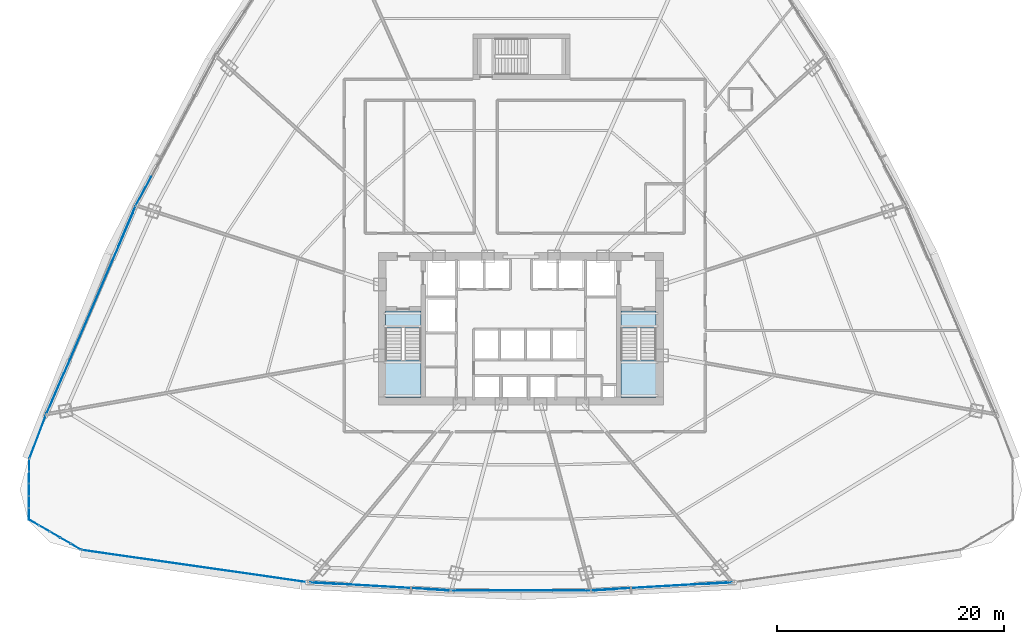
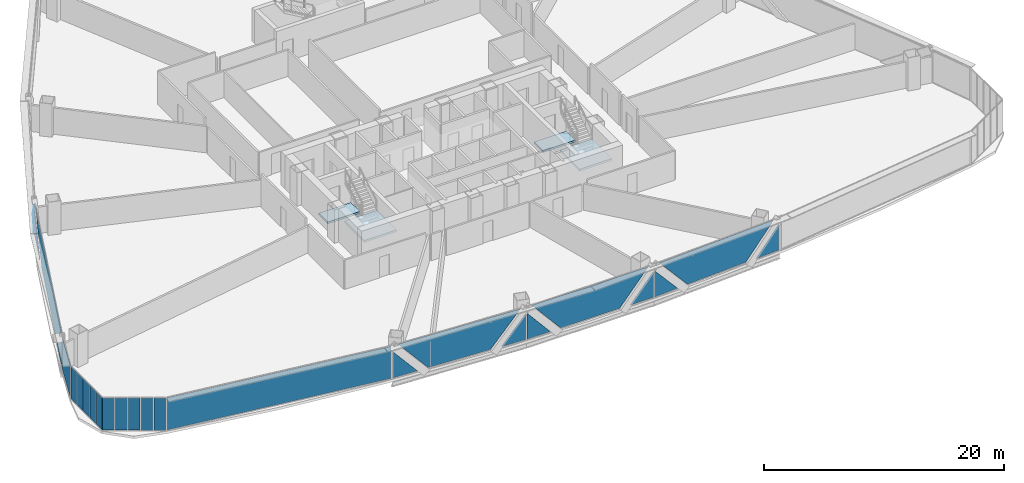
# One storey, part 31 of 42: 25 plates, 4 slabs, 11 elements without a shape of their own.
"""IFC4 building model written with IfcOpenShell, lengths in metres."""

import ifcopenshell
import ifcopenshell.guid

model = None  # the IFC model being written
_history = None  # IfcOwnerHistory: only IFC2X3 demands one
_inside = {}  # id of a spatial element -> (the spatial element, [elements in it])
_under = {}  # id of a project, library or spatial element -> (it, [spatial elements below it])
_declared = {}  # id of a project -> (the project, [libraries it declares])
_typed = {}  # id of a type object -> (the type object, [elements of that type])
_made_of = {}  # id of a material, layer set ... -> (it, [elements and type objects made of it])


def new_model(schema):
    """Start an empty IFC model of exactly this schema.

    Asked for "IFC4X3", IfcOpenShell would pick the latest addendum, in which some entities
    have other attributes; the version numbers below select the first issue.
    IFC2X3 requires an IfcOwnerHistory on every rooted entity: one is made here for all.
    """
    global model, _history
    if schema == "IFC4X3":
        model = ifcopenshell.file(schema_version=(4, 3, 0, 0))
    else:
        model = ifcopenshell.file(schema=schema)
    _inside.clear()
    _under.clear()
    _declared.clear()
    _typed.clear()
    _made_of.clear()
    _history = None
    if model.schema == "IFC2X3":
        org = make("IfcOrganization", Name="unknown")
        user = make(
            "IfcPersonAndOrganization",
            ThePerson=make("IfcPerson", FamilyName="unknown"),
            TheOrganization=org,
        )
        app = make(
            "IfcApplication",
            ApplicationDeveloper=org,
            Version="unknown",
            ApplicationFullName="unknown",
            ApplicationIdentifier="unknown",
        )
        _history = make(
            "IfcOwnerHistory",
            OwningUser=user,
            OwningApplication=app,
            ChangeAction="ADDED",
            CreationDate=0,
        )
    return model


def make(cls, **values):
    """One entity of the class cls with the attributes given. An attribute that is None is left unset."""
    return model.create_entity(
        cls, **{name: value for name, value in values.items() if value is not None}
    )


def rooted(cls, **values):
    """An entity with a GlobalId (a new one), such as an element, a storey or a relation."""
    return make(cls, GlobalId=ifcopenshell.guid.new(), OwnerHistory=_history, **values)


def si_unit(unit_type, name, prefix=None):
    """IfcSIUnit, for example si_unit("LENGTHUNIT", "METRE", prefix="MILLI")."""
    return make("IfcSIUnit", UnitType=unit_type, Prefix=prefix, Name=name)


def assignment(units):
    """IfcUnitAssignment: the units of a project."""
    return None if units is None else make("IfcUnitAssignment", Units=units)


def point(xyz):
    """IfcCartesianPoint."""
    return None if xyz is None else make("IfcCartesianPoint", Coordinates=xyz)


def direction(xyz):
    """IfcDirection."""
    return None if xyz is None else make("IfcDirection", DirectionRatios=xyz)


def frame(location, z_axis=None, x_axis=None):
    """IfcAxis2Placement3D, a coordinate frame: its origin and axes. An axis left out is left unset."""
    return make(
        "IfcAxis2Placement3D",
        Location=point(location),
        Axis=direction(z_axis),
        RefDirection=direction(x_axis),
    )


def frame_2d(location, x_axis=None):
    """IfcAxis2Placement2D, a coordinate frame in the plane: its origin and x axis."""
    return make(
        "IfcAxis2Placement2D", Location=point(location), RefDirection=direction(x_axis)
    )


def origin():
    """The frame at (0, 0, 0) with its axes left unset."""
    return frame((0.0, 0.0, 0.0))


def origin_2d():
    """The frame at (0, 0) in the plane with its x axis left unset."""
    return frame_2d((0.0, 0.0))


def place(relative_to, where):
    """IfcLocalPlacement: puts the frame where relative to a parent placement (None: the world)."""
    return make(
        "IfcLocalPlacement", PlacementRelTo=relative_to, RelativePlacement=where
    )


def context(
    kind, dimensions, precision=None, world=None, true_north=None, identifier=None
):
    """IfcGeometricRepresentationContext, for example the 3D "Model" context."""
    return make(
        "IfcGeometricRepresentationContext",
        ContextIdentifier=identifier,
        ContextType=kind,
        CoordinateSpaceDimension=dimensions,
        Precision=precision,
        WorldCoordinateSystem=world,
        TrueNorth=true_north,
    )


def subcontext(parent, identifier, kind, view, scale=None):
    """IfcGeometricRepresentationSubContext, for example "Body" below "Model"."""
    return make(
        "IfcGeometricRepresentationSubContext",
        ContextIdentifier=identifier,
        ContextType=kind,
        ParentContext=parent,
        TargetScale=scale,
        TargetView=view,
    )


def project(units=None, contexts=None):
    """IfcProject with its units and contexts."""
    return rooted(
        "IfcProject",
        Name="project",
        RepresentationContexts=contexts,
        UnitsInContext=assignment(units),
    )


def spatial(cls, under=None, at=None, **own):
    """A site, building, storey or space (cls), placed at a placement, below another one or the project."""
    s = rooted(cls, ObjectPlacement=at, **own)
    if under is not None:
        _under.setdefault(under.id(), (under, []))[1].append(s)
    return s


def polyline(points):
    """IfcPolyline through the points."""
    return make("IfcPolyline", Points=[point(p) for p in points])


def profile(cls, at=None, kind="AREA", **sizes):
    """A parametric profile (cls). Its sizes go by their IFC names, for example OverallWidth=200.0."""
    return make(cls, ProfileType=kind, Position=at, **sizes)


def rectangle(**sizes):
    """IfcRectangleProfileDef."""
    return profile("IfcRectangleProfileDef", **sizes)


def outline(outer, holes=None, kind="AREA"):
    """IfcArbitraryClosedProfileDef: a profile drawn as a closed curve; with holes, ...WithVoids."""
    if holes is None:
        return make("IfcArbitraryClosedProfileDef", ProfileType=kind, OuterCurve=outer)
    return make(
        "IfcArbitraryProfileDefWithVoids",
        ProfileType=kind,
        OuterCurve=outer,
        InnerCurves=holes,
    )


def extrude(swept, where, along, depth):
    """IfcExtrudedAreaSolid: the profile swept, set in the frame where, extruded along a direction by depth."""
    return make(
        "IfcExtrudedAreaSolid",
        SweptArea=swept,
        Position=where,
        ExtrudedDirection=direction(along),
        Depth=depth,
    )


def shape(context_of_items, identifier, shape_type, items):
    """IfcShapeRepresentation: the items that make up one representation, for example the "Body"."""
    return make(
        "IfcShapeRepresentation",
        ContextOfItems=context_of_items,
        RepresentationIdentifier=identifier,
        RepresentationType=shape_type,
        Items=items,
    )


def source(mapping_origin, context_of_items, identifier, shape_type, items):
    """IfcRepresentationMap: a shape defined once, which mapped items show again and again."""
    return make(
        "IfcRepresentationMap",
        MappingOrigin=mapping_origin,
        MappedRepresentation=shape(context_of_items, identifier, shape_type, items),
    )


def transform(
    local_origin,
    x_axis=None,
    y_axis=None,
    z_axis=None,
    scale=None,
    scale2=None,
    scale3=None,
    uniform=True,
):
    """IfcCartesianTransformationOperator3D, or its non-uniform kind. x_axis, y_axis, z_axis: its Axis1, 2, 3."""
    if uniform:
        return make(
            "IfcCartesianTransformationOperator3D",
            Axis1=direction(x_axis),
            Axis2=direction(y_axis),
            LocalOrigin=point(local_origin),
            Scale=scale,
            Axis3=direction(z_axis),
        )
    return make(
        "IfcCartesianTransformationOperator3DnonUniform",
        Axis1=direction(x_axis),
        Axis2=direction(y_axis),
        LocalOrigin=point(local_origin),
        Scale=scale,
        Axis3=direction(z_axis),
        Scale2=scale2,
        Scale3=scale3,
    )


def mapped(mapping_source, mapping_target):
    """IfcMappedItem: shows the shape of a source again, moved by a transform."""
    return make(
        "IfcMappedItem", MappingSource=mapping_source, MappingTarget=mapping_target
    )


def material(Name=None, Category=None):
    """IfcMaterial."""
    return make("IfcMaterial", Name=Name, Category=Category)


def layer(
    of_material, thickness, ventilated=None, Name=None, Category=None, Priority=None
):
    """IfcMaterialLayer: one layer of a wall or slab, of a material (None: an air gap)."""
    return make(
        "IfcMaterialLayer",
        Material=of_material,
        LayerThickness=thickness,
        IsVentilated=ventilated,
        Name=Name,
        Category=Category,
        Priority=Priority,
    )


def layer_set(layers, Name=None):
    """IfcMaterialLayerSet."""
    return make("IfcMaterialLayerSet", MaterialLayers=layers, LayerSetName=Name)


def made_of(thing, what):
    """Note that an element or type object is made of a material, layer set ...; save() writes the relation."""
    if what is not None:
        _made_of.setdefault(what.id(), (what, []))[1].append(thing)
    return thing


def type_object(cls, material=None, **own):
    """A type object (cls), such as IfcWallType, which elements share."""
    return made_of(rooted(cls, **own), material)


def element(
    cls,
    number,
    at=None,
    inside=None,
    cuts=None,
    type_object=None,
    material=None,
    context=None,
    identifier="Body",
    shape_type=None,
    held_by="IfcProductDefinitionShape",
    body=None,
    shapes=None,
    **own,
):
    """One element of the class cls, such as IfcWall. Its Tag is "e" and its number.

    at: its placement. inside: the storey or other place that contains it. cuts: it is an
    opening in that element (IfcRelVoidsElement). A single representation is given by context,
    identifier, shape_type and body (its items); several are given by shapes. held_by: the class
    of the entity that holds the representations. save() writes the other relations.
    """
    e = rooted(cls, Tag="e%d" % number, ObjectPlacement=at, **own)
    if body is not None:
        shapes = [shape(context, identifier, shape_type, body)]
    if shapes is not None:
        e.Representation = make(held_by, Representations=shapes)
    if inside is not None:
        _inside.setdefault(inside.id(), (inside, []))[1].append(e)
    if cuts is not None:
        rooted(
            "IfcRelVoidsElement", RelatingBuildingElement=cuts, RelatedOpeningElement=e
        )
    if type_object is not None:
        _typed.setdefault(type_object.id(), (type_object, []))[1].append(e)
    return made_of(e, material)


def aggregate(whole, parts):
    """IfcRelAggregates: a whole, such as a stair, and the parts it consists of."""
    return rooted("IfcRelAggregates", RelatingObject=whole, RelatedObjects=parts)


def save(model, path):
    """Write the relations noted so far, then the file.

    IfcRelAggregates (storeys below a building ...), IfcRelContainedInSpatialStructure (elements
    in a storey), IfcRelDefinesByType, IfcRelAssociatesMaterial and IfcRelDeclares: one each for
    every whole, place, type object, material and project.
    """
    for whole, parts in _under.values():
        aggregate(whole, parts)
    for where, things in _inside.values():
        rooted(
            "IfcRelContainedInSpatialStructure",
            RelatedElements=things,
            RelatingStructure=where,
        )
    for kind, things in _typed.values():
        rooted("IfcRelDefinesByType", RelatedObjects=things, RelatingType=kind)
    for what, things in _made_of.values():
        rooted("IfcRelAssociatesMaterial", RelatedObjects=things, RelatingMaterial=what)
    for by, libraries in _declared.values():
        rooted("IfcRelDeclares", RelatingContext=by, RelatedDefinitions=libraries)
    model.write(path)


model = new_model("IFC4")

# Units and contexts
model_context = context("Model", 3, precision=1e-05, world=origin(), true_north=direction((0.0, 1.0)))
body_context = subcontext(model_context, "Body", "Model", "MODEL_VIEW")
ifc_project = project(units=[si_unit("LENGTHUNIT", "METRE"), si_unit("AREAUNIT", "SQUARE_METRE"), si_unit("VOLUMEUNIT", "CUBIC_METRE"), si_unit("PLANEANGLEUNIT", "RADIAN"), si_unit("MASSUNIT", "GRAM", prefix="KILO"), si_unit("THERMODYNAMICTEMPERATUREUNIT", "KELVIN"), si_unit("POWERUNIT", "WATT")], contexts=[model_context])

# Site, building, storey
site_placement = place(None, origin())
site = spatial("IfcSite", under=ifc_project, at=site_placement, CompositionType="ELEMENT")
building_placement = place(site_placement, origin())
building = spatial("IfcBuilding", under=site, at=building_placement, Name="Yunzhuo Pagoda Commons", CompositionType="ELEMENT")
storey_placement = place(building_placement, frame((0.0, 0.0, 44.919921875)))
storey = spatial("IfcBuildingStorey", under=building, at=storey_placement, Name="L11", CompositionType="ELEMENT", Elevation=44.919921875)

# Curtain wall, plates
ifc_material_1 = material(Name="Anodized aluminium 6063-T6", Category="aluminium")
ifc_layer_1 = layer(ifc_material_1, 0.1650390625)
ifc_layer_set_1 = layer_set([ifc_layer_1], Name="Anodized aluminium 6063-T6")
curtain_wall_type_1 = type_object("IfcCurtainWallType", Name="CW-LOW Low-Zone Ribbon Curtain Wall", PredefinedType="NOTDEFINED", material=ifc_layer_set_1)
curtain_wall_1_placement = place(storey_placement, origin())
curtain_wall_1 = element("IfcCurtainWall", 1, at=curtain_wall_1_placement, inside=storey, type_object=curtain_wall_type_1, Name="L11 curtain wall CW-L11-F1B2", PredefinedType="NOTDEFINED")
ifc_material_2 = material(Name="Tempered low-e double glazing", Category="glass")
ifc_layer_2 = layer(ifc_material_2, 0.028076171875)
ifc_layer_set_2 = layer_set([ifc_layer_2], Name="Tempered low-e double glazing")
plate_type_1 = type_object("IfcPlateType", Name="CW-LOW-P Low-E Double Glazing 28", PredefinedType="CURTAIN_PANEL", material=ifc_layer_set_2)
plate_1_placement = place(storey_placement, frame((30.603759765625, 11.477294921875, 1.385986328125), z_axis=(-0.057790687505, -0.998328721633, 0.0), x_axis=(0.998328721633, -0.057790687505, 0.0)))
plate_1 = element("IfcPlate", 2, at=plate_1_placement, type_object=plate_type_1, Name="CW panel 1.1 lite 1", PredefinedType="CURTAIN_PANEL", context=body_context, shape_type="SweptSolid", body=[
    extrude(outline(polyline([(-1.140380859375, -1.325927734375), (1.140380859375, -1.325927734375), (-1.140380859375, 1.325927734375), (-1.140380859375, -1.325927734375)])), origin(), (0.0, 0.0, 1.0), 0.028076171875),
])
plate_2_placement = place(storey_placement, frame((35.6357421875, 11.216064453125, 1.68505859375), z_axis=(-0.057790687505, -0.998328721633, 0.0), x_axis=(0.998328721633, -0.057790687505, 0.0)))
plate_2 = element("IfcPlate", 3, at=plate_2_placement, type_object=plate_type_1, Name="CW panel 1.1 lite 2", PredefinedType="CURTAIN_PANEL", context=body_context, shape_type="SweptSolid", body=[
    extrude(outline(polyline([(-5.69140625, 1.625), (-2.89599609375, -1.625), (2.89599609375, -1.625), (5.69140625, 1.625), (-5.69140625, 1.625)])), origin(), (0.0, 0.0, 1.0), 0.028076171875),
])
plate_3_placement = place(storey_placement, frame((40.66455078125, 10.89501953125, 1.385986328125), z_axis=(-0.057790687505, -0.998328721633, 0.0), x_axis=(0.998328721633, -0.057790687505, 0.0)))
plate_3 = element("IfcPlate", 4, at=plate_3_placement, type_object=plate_type_1, Name="CW panel 1.1 lite 3", PredefinedType="CURTAIN_PANEL", context=body_context, shape_type="SweptSolid", body=[
    extrude(outline(polyline([(-1.140380859375, -1.325927734375), (1.140380859375, -1.325927734375), (1.140380859375, 1.325927734375), (-1.140380859375, -1.325927734375)])), origin(), (0.0, 0.0, 1.0), 0.028076171875),
])
aggregate(curtain_wall_1, [plate_1, plate_2, plate_3])

curtain_wall_2_placement = place(storey_placement, origin())
curtain_wall_2 = element("IfcCurtainWall", 5, at=curtain_wall_2_placement, inside=storey, type_object=curtain_wall_type_1, Name="L11 curtain wall CW-L11-F1B3", PredefinedType="NOTDEFINED")
plate_4_placement = place(storey_placement, frame((43.048828125, 10.8251953125, 1.382080078125), z_axis=(0.0, -1.0, 0.0), x_axis=(1.0, 0.0, 0.0)))
plate_4 = element("IfcPlate", 6, at=plate_4_placement, type_object=plate_type_1, Name="CW panel 1.1 lite 1", PredefinedType="CURTAIN_PANEL", context=body_context, shape_type="SweptSolid", body=[
    extrude(outline(polyline([(-1.11669921875, -1.322021484375), (1.116943359375, -1.322021484375), (-1.11669921875, 1.322021484375), (-1.11669921875, -1.322021484375)])), origin(), (0.0, 0.0, 1.0), 0.028076171875),
])
plate_5_placement = place(storey_placement, frame((48.0, 10.85546875, 1.68505859375), z_axis=(0.0, -1.0, 0.0), x_axis=(1.0, 0.0, 0.0)))
plate_5 = element("IfcPlate", 7, at=plate_5_placement, type_object=plate_type_1, Name="CW panel 1.1 lite 2", PredefinedType="CURTAIN_PANEL", context=body_context, shape_type="SweptSolid", body=[
    extrude(outline(polyline([(-5.5849609375, 1.625), (-2.83935546875, -1.625), (2.83935546875, -1.625), (5.5849609375, 1.625), (-5.5849609375, 1.625)])), origin(), (0.0, 0.0, 1.0), 0.028076171875),
])
plate_6_placement = place(storey_placement, frame((52.951171875, 10.8251953125, 1.382080078125), z_axis=(0.0, -1.0, 0.0), x_axis=(1.0, 0.0, 0.0)))
plate_6 = element("IfcPlate", 8, at=plate_6_placement, type_object=plate_type_1, Name="CW panel 1.1 lite 3", PredefinedType="CURTAIN_PANEL", context=body_context, shape_type="SweptSolid", body=[
    extrude(outline(polyline([(-1.116943359375, -1.322021484375), (1.11669921875, -1.322021484375), (1.11669921875, 1.322021484375), (-1.116943359375, -1.322021484375)])), origin(), (0.0, 0.0, 1.0), 0.028076171875),
])
aggregate(curtain_wall_2, [plate_4, plate_5, plate_6])

curtain_wall_3_placement = place(storey_placement, origin())
curtain_wall_3 = element("IfcCurtainWall", 9, at=curtain_wall_3_placement, inside=storey, type_object=curtain_wall_type_1, Name="L11 curtain wall CW-L11-F1B4", PredefinedType="NOTDEFINED")
plate_7_placement = place(storey_placement, frame((55.33544921875, 10.89501953125, 1.385986328125), z_axis=(0.057790687505, -0.998328721633, 0.0), x_axis=(0.998328721633, 0.057790687505, 0.0)))
plate_7 = element("IfcPlate", 10, at=plate_7_placement, type_object=plate_type_1, Name="CW panel 1.1 lite 1", PredefinedType="CURTAIN_PANEL", context=body_context, shape_type="SweptSolid", body=[
    extrude(outline(polyline([(-1.140380859375, -1.325927734375), (1.140380859375, -1.325927734375), (-1.140380859375, 1.325927734375), (-1.140380859375, -1.325927734375)])), origin(), (0.0, 0.0, 1.0), 0.028076171875),
])
plate_8_placement = place(storey_placement, frame((60.3642578125, 11.216064453125, 1.68505859375), z_axis=(0.057790687505, -0.998328721633, 0.0), x_axis=(0.998328721633, 0.057790687505, 0.0)))
plate_8 = element("IfcPlate", 11, at=plate_8_placement, type_object=plate_type_1, Name="CW panel 1.1 lite 2", PredefinedType="CURTAIN_PANEL", context=body_context, shape_type="SweptSolid", body=[
    extrude(outline(polyline([(-5.69140625, 1.625), (-2.89599609375, -1.625), (2.89599609375, -1.625), (5.69140625, 1.625), (-5.69140625, 1.625)])), origin(), (0.0, 0.0, 1.0), 0.028076171875),
])
plate_9_placement = place(storey_placement, frame((65.396240234375, 11.477294921875, 1.385986328125), z_axis=(0.057790687505, -0.998328721633, 0.0), x_axis=(0.998328721633, 0.057790687505, 0.0)))
plate_9 = element("IfcPlate", 12, at=plate_9_placement, type_object=plate_type_1, Name="CW panel 1.1 lite 3", PredefinedType="CURTAIN_PANEL", context=body_context, shape_type="SweptSolid", body=[
    extrude(outline(polyline([(-1.140380859375, -1.325927734375), (1.140380859375, -1.325927734375), (1.140380859375, 1.325927734375), (-1.140380859375, -1.325927734375)])), origin(), (0.0, 0.0, 1.0), 0.028076171875),
])
aggregate(curtain_wall_3, [plate_7, plate_8, plate_9])

# Curtain wall, plate
curtain_wall_4_placement = place(storey_placement, origin())
curtain_wall_4 = element("IfcCurtainWall", 13, at=curtain_wall_4_placement, inside=storey, type_object=curtain_wall_type_1, Name="L11 curtain wall CW-L11-F3B3", PredefinedType="NOTDEFINED")
plate_10_placement = place(storey_placement, frame((14.828369140625, 45.98828125, 1.41845703125), z_axis=(-0.88230916381, 0.470670308662, 0.0), x_axis=(-0.470670308662, -0.88230916381, 0.0)))
plate_10 = element("IfcPlate", 14, at=plate_10_placement, type_object=plate_type_1, Name="CW panel 1.1 lite 3", PredefinedType="CURTAIN_PANEL", context=body_context, shape_type="SweptSolid", body=[
    extrude(outline(polyline([(-1.39599609375, -1.3583984375), (1.39599609375, -1.3583984375), (1.39599609375, 1.3583984375), (-1.39599609375, -1.3583984375)])), origin(), (0.0, 0.0, 1.0), 0.028076171875),
])
aggregate(curtain_wall_4, [plate_10])

# Curtain wall, plates
curtain_wall_5_placement = place(storey_placement, origin())
curtain_wall_5 = element("IfcCurtainWall", 15, at=curtain_wall_5_placement, inside=storey, type_object=curtain_wall_type_1, Name="L11 curtain wall CW-L11-F3B4", PredefinedType="NOTDEFINED")
plate_11_placement = place(storey_placement, frame((13.35693359375, 42.87353515625, 1.45654296875), z_axis=(-0.918865619656, 0.394570618538, 0.0), x_axis=(-0.394570618538, -0.918865619656, 0.0)))
plate_11 = element("IfcPlate", 16, at=plate_11_placement, type_object=plate_type_1, Name="CW panel 1.1 lite 1", PredefinedType="CURTAIN_PANEL", context=body_context, shape_type="SweptSolid", body=[
    extrude(outline(polyline([(-1.9228515625, -1.396484375), (1.922607421875, -1.396484375), (-1.9228515625, 1.396484375), (-1.9228515625, -1.396484375)])), origin(), (0.0, 0.0, 1.0), 0.028076171875),
])
plate_12_placement = place(storey_placement, frame((10.224853515625, 35.503662109375, 1.68505859375), z_axis=(-0.918865619656, 0.394570618538, 0.0), x_axis=(-0.394570618538, -0.918865619656, 0.0)))
plate_12 = element("IfcPlate", 17, at=plate_12_placement, type_object=plate_type_1, Name="CW panel 1.1 lite 2", PredefinedType="CURTAIN_PANEL", context=body_context, shape_type="SweptSolid", body=[
    extrude(outline(polyline([(-9.26611328125, 1.625), (-4.791748046875, -1.625), (4.791748046875, -1.625), (9.26611328125, 1.625), (-9.26611328125, 1.625)])), origin(), (0.0, 0.0, 1.0), 0.028076171875),
])
plate_13_placement = place(storey_placement, frame((7.037841796875, 28.157470703125, 1.45654296875), z_axis=(-0.918865619656, 0.394570618538, 0.0), x_axis=(-0.394570618538, -0.918865619656, 0.0)))
plate_13 = element("IfcPlate", 18, at=plate_13_placement, type_object=plate_type_1, Name="CW panel 1.1 lite 3", PredefinedType="CURTAIN_PANEL", context=body_context, shape_type="SweptSolid", body=[
    extrude(outline(polyline([(-1.922607421875, -1.396484375), (1.9228515625, -1.396484375), (1.9228515625, 1.396484375), (-1.922607421875, -1.396484375)])), origin(), (0.0, 0.0, 1.0), 0.028076171875),
])
aggregate(curtain_wall_5, [plate_11, plate_12, plate_13])

# Stair, slabs
ifc_material_3 = material(Name="Concrete C40", Category="concrete")
stair_type_1 = type_object("IfcStairType", Name="ST-C1 Core Smokeproof Stair ST1", PredefinedType="HALF_TURN_STAIR", material=ifc_material_3)
stair_1_placement = place(storey_placement, origin())
stair_1 = element("IfcStair", 19, at=stair_1_placement, inside=storey, type_object=stair_type_1, Name="L11 Core smokeproof stair ST1", PredefinedType="HALF_TURN_STAIR")
ifc_layer_3 = layer(ifc_material_3, 0.199951171875)
ifc_layer_set_3 = layer_set([ifc_layer_3], Name="Concrete C40")
slab_type_1 = type_object("IfcSlabType", Name="SL-LND1 Stair Landing Slab 200", PredefinedType="LANDING", material=ifc_layer_set_3)
slab_1_placement = place(storey_placement, frame((0.0, 0.0, 1.614990234375)))
slab_1 = element("IfcSlab", 20, at=slab_1_placement, type_object=slab_type_1, Name="ST1 landing 1", PredefinedType="LANDING", context=body_context, shape_type="SweptSolid", body=[
    extrude(outline(polyline([(36.10009765625, 31.10009765625), (36.10009765625, 27.800048828125), (39.199951171875, 27.800048828125), (39.199951171875, 31.10009765625), (36.10009765625, 31.10009765625)])), origin(), (0.0, 0.0, 1.0), 0.2001953125),
])
slab_2_placement = place(storey_placement, frame((0.0, 0.0, -0.199951171875)))
slab_2 = element("IfcSlab", 21, at=slab_2_placement, type_object=slab_type_1, Name="ST1 floor landing L11", PredefinedType="LANDING", context=body_context, shape_type="SweptSolid", body=[
    extrude(outline(polyline([(36.10009765625, 35.39990234375), (36.10009765625, 33.89990234375), (39.199951171875, 33.89990234375), (39.199951171875, 35.39990234375), (36.10009765625, 35.39990234375)])), origin(), (0.0, 0.0, 1.0), 0.199951171875),
])
aggregate(stair_1, [slab_1, slab_2])

stair_type_2 = type_object("IfcStairType", Name="ST-C2 Core Smokeproof Stair ST2", PredefinedType="HALF_TURN_STAIR", material=ifc_material_3)
stair_2_placement = place(storey_placement, origin())
stair_2 = element("IfcStair", 22, at=stair_2_placement, inside=storey, type_object=stair_type_2, Name="L11 Core smokeproof stair ST2", PredefinedType="HALF_TURN_STAIR")
ifc_layer_4 = layer(ifc_material_3, 0.201904296875)
ifc_layer_set_4 = layer_set([ifc_layer_4], Name="Concrete C40")
slab_type_2 = type_object("IfcSlabType", Name="SL-LND2 Stair Landing Slab 202", PredefinedType="LANDING", material=ifc_layer_set_4)
slab_3_placement = place(storey_placement, frame((0.0, 0.0, 1.614990234375)))
slab_3 = element("IfcSlab", 23, at=slab_3_placement, type_object=slab_type_2, Name="ST2 landing 1", PredefinedType="LANDING", context=body_context, shape_type="SweptSolid", body=[
    extrude(outline(polyline([(56.800048828125, 31.10009765625), (56.800048828125, 27.800048828125), (59.89990234375, 27.800048828125), (59.89990234375, 31.10009765625), (56.800048828125, 31.10009765625)])), origin(), (0.0, 0.0, 1.0), 0.2001953125),
])
slab_4_placement = place(storey_placement, frame((0.0, 0.0, -0.199951171875)))
slab_4 = element("IfcSlab", 24, at=slab_4_placement, type_object=slab_type_2, Name="ST2 floor landing L11", PredefinedType="LANDING", context=body_context, shape_type="SweptSolid", body=[
    extrude(outline(polyline([(56.800048828125, 35.39990234375), (56.800048828125, 33.89990234375), (59.89990234375, 33.89990234375), (59.89990234375, 35.39990234375), (56.800048828125, 35.39990234375)])), origin(), (0.0, 0.0, 1.0), 0.199951171875),
])
aggregate(stair_2, [slab_3, slab_4])

# Curtain wall, plate
curtain_wall_6_placement = place(storey_placement, origin())
curtain_wall_6 = element("IfcCurtainWall", 25, at=curtain_wall_6_placement, inside=storey, type_object=curtain_wall_type_1, Name="L11 curtain wall CW-L11-F1B1", PredefinedType="NOTDEFINED")
shared_shape_1 = source(origin(), body_context, "Body", "SweptSolid", [
    extrude(rectangle(XDim=20.06689453125, YDim=0.028076171875, at=origin_2d()), origin(), (0.0, 0.0, 1.0), 3.25),
])
plate_14_placement = place(storey_placement, frame((19.32861328125, 12.972412109375, 0.06005859375), z_axis=(0.0, 0.0, 1.0), x_axis=(0.989939291447, -0.141492753346, 0.0)))
plate_14 = element("IfcPlate", 26, at=plate_14_placement, type_object=plate_type_1, Name="CW panel 1.1", PredefinedType="CURTAIN_PANEL", context=body_context, shape_type="MappedRepresentation", body=[
    mapped(shared_shape_1, transform((0.0, 0.0, 0.0), scale=1.0)),
])
aggregate(curtain_wall_6, [plate_14])

curtain_wall_7_placement = place(storey_placement, origin())
curtain_wall_7 = element("IfcCurtainWall", 27, at=curtain_wall_7_placement, inside=storey, type_object=curtain_wall_type_1, Name="L11 curtain wall CW-L11-F3B5", PredefinedType="NOTDEFINED")
shared_shape_2 = source(origin(), body_context, "Body", "SweptSolid", [
    extrude(rectangle(XDim=4.019775390625, YDim=0.028076171875, at=origin_2d()), origin(), (0.0, 0.0, 1.0), 3.25),
])
plate_15_placement = place(storey_placement, frame((5.481201171875, 24.3251953125, 0.06005859375), z_axis=(0.0, 0.0, 1.0), x_axis=(-0.353150780113, -0.935566420146, 0.0)))
plate_15 = element("IfcPlate", 28, at=plate_15_placement, type_object=plate_type_1, Name="CW panel 1.1", PredefinedType="CURTAIN_PANEL", context=body_context, shape_type="MappedRepresentation", body=[
    mapped(shared_shape_2, transform((0.0, 0.0, 0.0), scale=1.0)),
])
aggregate(curtain_wall_7, [plate_15])

# Curtain wall, plates
ifc_layer_5 = layer(ifc_material_1, 0.1298828125)
ifc_layer_set_5 = layer_set([ifc_layer_5], Name="Anodized aluminium 6063-T6")
curtain_wall_type_2 = type_object("IfcCurtainWallType", Name="CW-VTX Rounded Corner Curtain Wall", PredefinedType="NOTDEFINED", material=ifc_layer_set_5)
curtain_wall_8_placement = place(storey_placement, origin())
curtain_wall_8 = element("IfcCurtainWall", 29, at=curtain_wall_8_placement, inside=storey, type_object=curtain_wall_type_2, Name="L11 curtain wall CW-L11-VTX1S1", PredefinedType="NOTDEFINED")
ifc_layer_6 = layer(ifc_material_2, 0.02587890625)
ifc_layer_set_6 = layer_set([ifc_layer_6], Name="Tempered low-e double glazing")
plate_type_2 = type_object("IfcPlateType", Name="CW-VTX-P Low-E Double Glazing 26", PredefinedType="CURTAIN_PANEL", material=ifc_layer_set_6)
shared_shape_3 = source(origin(), body_context, "Body", "SweptSolid", [
    extrude(rectangle(XDim=0.990478515625, YDim=0.028076171875, at=origin_2d()), origin(), (0.0, 0.0, 1.0), 3.260009765625),
])
plate_16_placement = place(storey_placement, frame((4.74658203125, 21.833984375, 0.05517578125), z_axis=(0.0, 0.0, 1.0), x_axis=(-0.003579061808, -0.999993595138, 0.0)))
plate_16 = element("IfcPlate", 30, at=plate_16_placement, type_object=plate_type_2, Name="CW panel 1.1", PredefinedType="CURTAIN_PANEL", context=body_context, shape_type="MappedRepresentation", body=[
    mapped(shared_shape_3, transform((0.0, 0.0, 0.0), scale=1.0)),
])
plate_17_placement = place(storey_placement, frame((4.731201171875, 17.56982421875, 0.05517578125), z_axis=(0.0, 0.0, 1.0), x_axis=(-0.003579061808, -0.999993595138, 0.0)))
plate_17 = element("IfcPlate", 31, at=plate_17_placement, type_object=plate_type_2, Name="CW panel 5.1", PredefinedType="CURTAIN_PANEL", context=body_context, shape_type="MappedRepresentation", body=[
    mapped(shared_shape_3, transform((0.0, 0.0, 0.0), scale=1.0)),
])

curtain_wall_9_placement = place(storey_placement, origin())
curtain_wall_9 = element("IfcCurtainWall", 32, at=curtain_wall_9_placement, inside=storey, type_object=curtain_wall_type_2, Name="L11 curtain wall CW-L11-VTX1S2", PredefinedType="NOTDEFINED")
plate_18_placement = place(storey_placement, frame((5.16552734375, 16.8134765625, 0.05517578125), z_axis=(0.0, 0.0, 1.0), x_axis=(0.865423307498, -0.501041414295, 0.0)))
plate_18 = element("IfcPlate", 33, at=plate_18_placement, type_object=plate_type_2, Name="CW panel 1.1", PredefinedType="CURTAIN_PANEL", context=body_context, shape_type="MappedRepresentation", body=[
    mapped(shared_shape_3, transform((0.0, 0.0, 0.0), scale=1.0)),
])
plate_19_placement = place(storey_placement, frame((8.855712890625, 14.677001953125, 0.05517578125), z_axis=(0.0, 0.0, 1.0), x_axis=(0.865423307498, -0.501041414295, 0.0)))
plate_19 = element("IfcPlate", 34, at=plate_19_placement, type_object=plate_type_2, Name="CW panel 5.1", PredefinedType="CURTAIN_PANEL", context=body_context, shape_type="MappedRepresentation", body=[
    mapped(shared_shape_3, transform((0.0, 0.0, 0.0), scale=1.0)),
])

# Plate
shared_shape_4 = source(origin(), body_context, "Body", "SweptSolid", [
    extrude(rectangle(XDim=1.017822265625, YDim=0.028076171875, at=origin_2d()), origin(), (0.0, 0.0, 1.0), 3.260009765625),
])
plate_20_placement = place(storey_placement, frame((4.74267578125, 20.774658203125, 0.05517578125), z_axis=(0.0, 0.0, 1.0), x_axis=(-0.003579061808, -0.999993595138, 0.0)))
plate_20 = element("IfcPlate", 35, at=plate_20_placement, type_object=plate_type_2, Name="CW panel 2.1", PredefinedType="CURTAIN_PANEL", context=body_context, shape_type="MappedRepresentation", body=[
    mapped(shared_shape_4, transform((0.0, 0.0, 0.0), scale=1.0)),
])

plate_21_placement = place(storey_placement, frame((4.739013671875, 19.701904296875, 0.05517578125), z_axis=(0.0, 0.0, 1.0), x_axis=(-0.003579061808, -0.999993595138, 0.0)))
plate_21 = element("IfcPlate", 36, at=plate_21_placement, type_object=plate_type_2, Name="CW panel 3.1", PredefinedType="CURTAIN_PANEL", context=body_context, shape_type="MappedRepresentation", body=[
    mapped(shared_shape_4, transform((0.0, 0.0, 0.0), scale=1.0)),
])

plate_22_placement = place(storey_placement, frame((4.735107421875, 18.62890625, 0.05517578125), z_axis=(0.0, 0.0, 1.0), x_axis=(-0.003579061808, -0.999993595138, 0.0)))
plate_22 = element("IfcPlate", 37, at=plate_22_placement, type_object=plate_type_2, Name="CW panel 4.1", PredefinedType="CURTAIN_PANEL", context=body_context, shape_type="MappedRepresentation", body=[
    mapped(shared_shape_4, transform((0.0, 0.0, 0.0), scale=1.0)),
])

aggregate(curtain_wall_8, [plate_16, plate_20, plate_21, plate_22, plate_17])

plate_23_placement = place(storey_placement, frame((6.08203125, 16.28271484375, 0.05517578125), z_axis=(0.0, 0.0, 1.0), x_axis=(0.865423307498, -0.501041414295, 0.0)))
plate_23 = element("IfcPlate", 38, at=plate_23_placement, type_object=plate_type_2, Name="CW panel 2.1", PredefinedType="CURTAIN_PANEL", context=body_context, shape_type="MappedRepresentation", body=[
    mapped(shared_shape_4, transform((0.0, 0.0, 0.0), scale=1.0)),
])

plate_24_placement = place(storey_placement, frame((7.0107421875, 15.7451171875, 0.05517578125), z_axis=(0.0, 0.0, 1.0), x_axis=(0.865423307498, -0.501041414295, 0.0)))
plate_24 = element("IfcPlate", 39, at=plate_24_placement, type_object=plate_type_2, Name="CW panel 3.1", PredefinedType="CURTAIN_PANEL", context=body_context, shape_type="MappedRepresentation", body=[
    mapped(shared_shape_4, transform((0.0, 0.0, 0.0), scale=1.0)),
])

plate_25_placement = place(storey_placement, frame((7.939208984375, 15.20751953125, 0.05517578125), z_axis=(0.0, 0.0, 1.0), x_axis=(0.865423307498, -0.501041414295, 0.0)))
plate_25 = element("IfcPlate", 40, at=plate_25_placement, type_object=plate_type_2, Name="CW panel 4.1", PredefinedType="CURTAIN_PANEL", context=body_context, shape_type="MappedRepresentation", body=[
    mapped(shared_shape_4, transform((0.0, 0.0, 0.0), scale=1.0)),
])

aggregate(curtain_wall_9, [plate_18, plate_23, plate_24, plate_25, plate_19])

save(model, "model.ifc")
